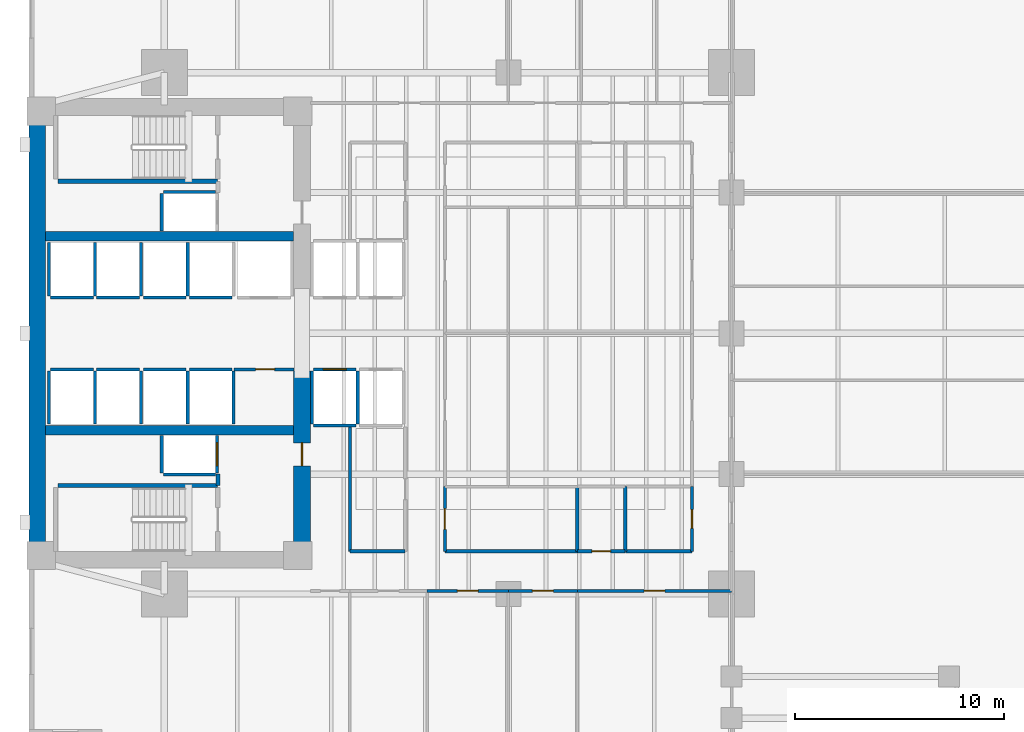
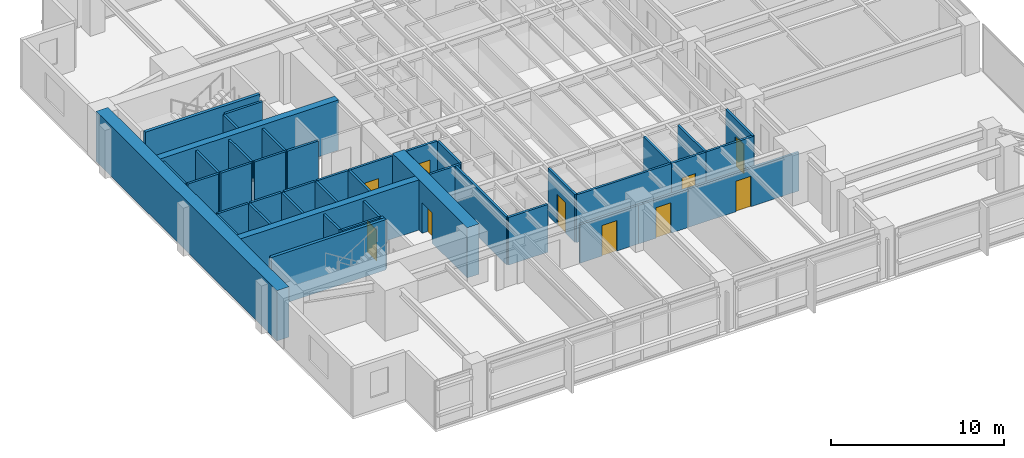
# One storey, part 8 of 16: 46 walls, 10 doors, 10 openings.
"""IFC4 building model written with IfcOpenShell, lengths in metres."""

from ifc_helpers import new_model, si_unit, direction, frame, frame_2d, origin, place, context, subcontext, project, spatial, rectangle, extrude, material, layer, layer_set, type_object, element, fill, save


model = new_model("IFC4")

# Units and contexts
model_context = context("Model", 3, precision=1e-05, world=origin(), true_north=direction((0.0, 1.0)))
body_context = subcontext(model_context, "Body", "Model", "MODEL_VIEW")
ifc_project = project(units=[si_unit("LENGTHUNIT", "METRE"), si_unit("AREAUNIT", "SQUARE_METRE"), si_unit("VOLUMEUNIT", "CUBIC_METRE"), si_unit("PLANEANGLEUNIT", "RADIAN"), si_unit("MASSUNIT", "GRAM", prefix="KILO")], contexts=[model_context])

# Site, building, storey
site_placement = place(None, origin())
site = spatial("IfcSite", under=ifc_project, at=site_placement, CompositionType="ELEMENT")
building_placement = place(site_placement, origin())
building = spatial("IfcBuilding", under=site, at=building_placement, Name="Kinhvarn Gate Tower", CompositionType="ELEMENT")
storey_placement = place(building_placement, frame((0.0, 0.0, 82.39990234375)))
storey = spatial("IfcBuildingStorey", under=building, at=storey_placement, Name="L21", CompositionType="ELEMENT", Elevation=82.39990234375)

# Walls
ifc_material_1 = material(Name="Concrete C50/60", Category="concrete")
ifc_layer_1 = layer(ifc_material_1, 0.449951171875)
ifc_layer_set_1 = layer_set([ifc_layer_1], Name="Concrete C50/60")
wall_type_1 = type_object("IfcWallType", Name="WL-CORE-450", PredefinedType="SHEAR", material=ifc_layer_set_1)
for number, where, z_axis, x_axis, name in (
    (1, (5.300048828125, 20.60009765625, 0.0), (0.0, 0.0, 1.0), (1.0, 0.0, 0.0), "Core South Spine Shear Wall L21 450 mm"),
    (2, (5.300048828125, 29.89990234375, 0.0), (0.0, 0.0, 1.0), (1.0, 0.0, 0.0), "Core North Spine Shear Wall L21 450 mm"),
):
    element("IfcWall", number, at=place(storey_placement, frame(where, z_axis=z_axis, x_axis=x_axis)), inside=storey, type_object=wall_type_1, Name=name, PredefinedType="SHEAR", context=body_context, shape_type="SweptSolid", body=[
        extrude(rectangle(XDim=11.89990234375, YDim=0.449951171875, at=frame_2d((5.949951171875, 0.0))), origin(), (0.0, 0.0, 1.0), 3.550048828125),
    ])

# Wall, opening, door
ifc_material_2 = material(Name="Concrete C70/85", Category="concrete")
ifc_layer_2 = layer(ifc_material_2, 0.800048828125)
ifc_layer_set_2 = layer_set([ifc_layer_2], Name="Concrete C70/85")
wall_type_2 = type_object("IfcWallType", Name="WL-CORE-800", PredefinedType="SHEAR", material=ifc_layer_set_2)
wall_1_placement = place(storey_placement, frame((17.60009765625, 14.800048828125, 0.0), z_axis=(0.0, 0.0, 1.0), x_axis=(0.0, 1.0, 0.0)))
wall_1 = element("IfcWall", 3, at=wall_1_placement, inside=storey, type_object=wall_type_2, Name="Core East-South Shear Pier L21 800 mm", PredefinedType="SHEAR", context=body_context, shape_type="SweptSolid", body=[
    extrude(rectangle(XDim=8.64990234375, YDim=0.800048828125, at=frame_2d((4.324951171875, 0.0))), origin(), (0.0, 0.0, 1.0), 3.550048828125),
])
opening_1_placement = place(wall_1_placement, frame((4.10009765625, 0.0, 0.0)))
opening_1 = element("IfcOpeningElement", 4, at=opening_1_placement, cuts=wall_1, Name="Opening FD-02", PredefinedType="OPENING", context=body_context, shape_type="SweptSolid", body=[
    extrude(rectangle(XDim=1.10009765625, YDim=2.14990234375, at=frame_2d((0.550048828125, 1.074951171875))), frame((0.0, 0.41015625, 0.0), z_axis=(0.0, -1.0, 0.0), x_axis=(1.0, 0.0, 0.0)), (0.0, 0.0, 1.0), 0.820068359375),
])
ifc_material_3 = material(Name="Anodised aluminium AW-6063", Category="aluminium")
door_type_1 = type_object("IfcDoorType", Name="DR-FD-1100", OperationType="NOTDEFINED", PredefinedType="DOOR", material=ifc_material_3)
door_1_placement = place(opening_1_placement, origin())
door_1 = element("IfcDoor", 5, at=door_1_placement, inside=storey, type_object=door_type_1, Name="Firefighting Lobby Core Door (L21)", OperationType="SINGLE_SWING_RIGHT", OverallHeight=2.14990234375, OverallWidth=1.10009765625, PredefinedType="DOOR", context=body_context, shape_type="SweptSolid", body=[
    extrude(rectangle(XDim=1.10009765625, YDim=2.14990234375, at=frame_2d((0.550048828125, 1.074951171875))), frame((0.0, 0.02490234375, 0.0), z_axis=(0.0, -1.0, 0.0), x_axis=(1.0, 0.0, 0.0)), (0.0, 0.0, 1.0), 0.050048828125),
])
fill(opening_1, door_1)

# Walls
ifc_layer_3 = layer(ifc_material_2, 0.800048828125)
ifc_layer_set_3 = layer_set([ifc_layer_3], Name="Concrete C70/85")
wall_type_3 = type_object("IfcWallType", Name="WL-COREX-800", PredefinedType="SHEAR", material=ifc_layer_set_3)
wall_2_placement = place(storey_placement, frame((4.89990234375, 14.800048828125, 0.0), z_axis=(0.0, 0.0, 1.0), x_axis=(0.0, 1.0, 0.0)))
element("IfcWall", 6, at=wall_2_placement, inside=storey, type_object=wall_type_3, Name="Core West Shear Wall L21 800 mm", PredefinedType="SHEAR", context=body_context, shape_type="SweptSolid", body=[
    extrude(rectangle(XDim=20.89990234375, YDim=0.800048828125, at=frame_2d((10.449951171875, 0.0))), origin(), (0.0, 0.0, 1.0), 3.550048828125),
])
ifc_material_4 = material(Name="Gypsum acoustic partition board")
ifc_layer_4 = layer(ifc_material_4, 0.14990234375)
ifc_layer_set_4 = layer_set([ifc_layer_4], Name="Gypsum acoustic partition board")
wall_type_4 = type_object("IfcWallType", Name="WL-PLM-150", PredefinedType="PLUMBINGWALL", material=ifc_layer_set_4)
for number, where, z_axis, x_axis, name in (
    (7, (33.10009765625, 14.800048828125, 0.0), (0.0, 0.0, 1.0), (0.0, 1.0, 0.0), "Interior Partition PLW-150 (L21)"),
    (8, (30.800048828125, 14.800048828125, 0.0), (0.0, 0.0, 1.0), (0.0, 1.0, 0.0), "Interior Partition PLW-150 (L21)"),
):
    element("IfcWall", number, at=place(storey_placement, frame(where, z_axis=z_axis, x_axis=x_axis)), inside=storey, type_object=wall_type_4, Name=name, PredefinedType="PLUMBINGWALL", context=body_context, shape_type="SweptSolid", body=[
        extrude(rectangle(XDim=3.099853515625, YDim=0.14990234375, at=frame_2d((1.5498046875, 0.0))), origin(), (0.0, 0.0, 1.0), 3.3701171875),
    ])
ifc_layer_5 = layer(ifc_material_4, 0.14990234375)
ifc_layer_set_5 = layer_set([ifc_layer_5], Name="Gypsum acoustic partition board")
wall_type_5 = type_object("IfcWallType", Name="WL-PLM-150F", PredefinedType="PLUMBINGWALL", material=ifc_layer_set_5)
wall_3_placement = place(storey_placement, frame((33.10009765625, 14.800048828125, 0.0), z_axis=(0.0, 0.0, 1.0), x_axis=(1.0, 0.0, 0.0)))
element("IfcWall", 9, at=wall_3_placement, inside=storey, type_object=wall_type_5, Name="Interior Partition PLW-150F (L21)", PredefinedType="PLUMBINGWALL", context=body_context, shape_type="SweptSolid", body=[
    extrude(rectangle(XDim=3.199951171875, YDim=0.14990234375, at=frame_2d((1.60009765625, 0.0))), origin(), (0.0, 0.0, 1.0), 3.3701171875),
])

# Wall, opening, door
wall_4_placement = place(storey_placement, frame((30.800048828125, 14.800048828125, 0.0), z_axis=(0.0, 0.0, 1.0), x_axis=(1.0, 0.0, 0.0)))
wall_4 = element("IfcWall", 10, at=wall_4_placement, inside=storey, type_object=wall_type_5, Name="Interior Partition PLW-150F (L21)", PredefinedType="PLUMBINGWALL", context=body_context, shape_type="SweptSolid", body=[
    extrude(rectangle(XDim=2.300048828125, YDim=0.14990234375, at=frame_2d((1.14990234375, 0.0))), origin(), (0.0, 0.0, 1.0), 3.3701171875),
])
opening_2_placement = place(wall_4_placement, frame((0.699951171875, 0.0, 0.0)))
opening_2 = element("IfcOpeningElement", 11, at=opening_2_placement, cuts=wall_4, Name="Opening FD-04", PredefinedType="OPENING", context=body_context, shape_type="SweptSolid", body=[
    extrude(rectangle(XDim=0.89990234375, YDim=2.10009765625, at=frame_2d((0.449951171875, 1.050048828125))), frame((0.0, 0.0849609375, 0.0), z_axis=(0.0, -1.0, 0.0), x_axis=(1.0, 0.0, 0.0)), (0.0, 0.0, 1.0), 0.169921875),
])
door_type_2 = type_object("IfcDoorType", Name="DR-FD-900", OperationType="NOTDEFINED", PredefinedType="DOOR", material=ifc_material_3)
door_2_placement = place(opening_2_placement, origin())
door_2 = element("IfcDoor", 12, at=door_2_placement, inside=storey, type_object=door_type_2, Name="Rated Riser & Service Closet Fire Door 900x2100 mm (L21)", OperationType="SINGLE_SWING_RIGHT", OverallHeight=2.10009765625, OverallWidth=0.89990234375, PredefinedType="DOOR", context=body_context, shape_type="SweptSolid", body=[
    extrude(rectangle(XDim=0.89990234375, YDim=2.10009765625, at=frame_2d((0.449951171875, 1.050048828125))), frame((0.0, 0.02490234375, 0.0), z_axis=(0.0, -1.0, 0.0), x_axis=(1.0, 0.0, 0.0)), (0.0, 0.0, 1.0), 0.050048828125),
])
fill(opening_2, door_2)

wall_5_placement = place(storey_placement, frame((36.300048828125, 14.800048828125, 0.0), z_axis=(0.0, 0.0, 1.0), x_axis=(0.0, 1.0, 0.0)))
wall_5 = element("IfcWall", 13, at=wall_5_placement, inside=storey, type_object=wall_type_5, Name="Interior Partition PLW-150F (L21)", PredefinedType="PLUMBINGWALL", context=body_context, shape_type="SweptSolid", body=[
    extrude(rectangle(XDim=3.099853515625, YDim=0.14990234375, at=frame_2d((1.5498046875, 0.0))), origin(), (0.0, 0.0, 1.0), 3.3701171875),
])
opening_3_placement = place(wall_5_placement, frame((1.10009765625, 0.0, 0.0)))
opening_3 = element("IfcOpeningElement", 14, at=opening_3_placement, cuts=wall_5, Name="Opening FD-04", PredefinedType="OPENING", context=body_context, shape_type="SweptSolid", body=[
    extrude(rectangle(XDim=0.89990234375, YDim=2.10009765625, at=frame_2d((0.449951171875, 1.050048828125))), frame((0.0, 0.0849609375, 0.0), z_axis=(0.0, -1.0, 0.0), x_axis=(1.0, 0.0, 0.0)), (0.0, 0.0, 1.0), 0.169921875),
])
door_3_placement = place(opening_3_placement, origin())
door_3 = element("IfcDoor", 15, at=door_3_placement, inside=storey, type_object=door_type_2, Name="Rated Riser & Service Closet Fire Door 900x2100 mm (L21)", OperationType="SINGLE_SWING_LEFT", OverallHeight=2.10009765625, OverallWidth=0.89990234375, PredefinedType="DOOR", context=body_context, shape_type="SweptSolid", body=[
    extrude(rectangle(XDim=0.89990234375, YDim=2.10009765625, at=frame_2d((0.449951171875, 1.050048828125))), frame((0.0, 0.02490234375, 0.0), z_axis=(0.0, -1.0, 0.0), x_axis=(1.0, 0.0, 0.0)), (0.0, 0.0, 1.0), 0.050048828125),
])
fill(opening_3, door_3)

ifc_layer_6 = layer(ifc_material_4, 0.14990234375)
ifc_layer_set_6 = layer_set([ifc_layer_6], Name="Gypsum acoustic partition board")
wall_type_6 = type_object("IfcWallType", Name="WL-PRT-150F", PredefinedType="PARTITIONING", material=ifc_layer_set_6)
wall_6_placement = place(storey_placement, frame((14.330078125, 23.52001953125, 0.0), z_axis=(0.0, 0.0, 1.0), x_axis=(1.0, 0.0, 0.0)))
wall_6 = element("IfcWall", 16, at=wall_6_placement, inside=storey, type_object=wall_type_6, Name="Interior Partition PW-150F (L21)", PredefinedType="PARTITIONING", context=body_context, shape_type="SweptSolid", body=[
    extrude(rectangle(XDim=2.889892578125, YDim=0.14990234375, at=frame_2d((1.44482421875, 0.0))), origin(), (0.0, 0.0, 1.0), 3.3701171875),
])
opening_4_placement = place(wall_6_placement, frame((1.052734375, 0.0, 0.0)))
opening_4 = element("IfcOpeningElement", 17, at=opening_4_placement, cuts=wall_6, Name="Opening FD-04", PredefinedType="OPENING", context=body_context, shape_type="SweptSolid", body=[
    extrude(rectangle(XDim=0.89990234375, YDim=2.10009765625, at=frame_2d((0.449951171875, 1.050048828125))), frame((0.0, 0.0849609375, 0.0), z_axis=(0.0, -1.0, 0.0), x_axis=(1.0, 0.0, 0.0)), (0.0, 0.0, 1.0), 0.169921875),
])
door_4_placement = place(opening_4_placement, origin())
door_4 = element("IfcDoor", 18, at=door_4_placement, inside=storey, type_object=door_type_2, Name="Rated Riser & Service Closet Fire Door 900x2100 mm (L21)", OperationType="SINGLE_SWING_LEFT", OverallHeight=2.10009765625, OverallWidth=0.89990234375, PredefinedType="DOOR", context=body_context, shape_type="SweptSolid", body=[
    extrude(rectangle(XDim=0.89990234375, YDim=2.10009765625, at=frame_2d((0.449951171875, 1.050048828125))), frame((0.0, 0.02490234375, 0.0), z_axis=(0.0, -1.0, 0.0), x_axis=(1.0, 0.0, 0.0)), (0.0, 0.0, 1.0), 0.050048828125),
])
fill(opening_4, door_4)

wall_7_placement = place(storey_placement, frame((24.449951171875, 14.800048828125, 0.0), z_axis=(0.0, 0.0, 1.0), x_axis=(0.0, 1.0, 0.0)))
wall_7 = element("IfcWall", 19, at=wall_7_placement, inside=storey, type_object=wall_type_6, Name="Interior Partition PW-150F (L21)", PredefinedType="PARTITIONING", context=body_context, shape_type="SweptSolid", body=[
    extrude(rectangle(XDim=3.099853515625, YDim=0.14990234375, at=frame_2d((1.5498046875, 0.0))), origin(), (0.0, 0.0, 1.0), 3.3701171875),
])
opening_5_placement = place(wall_7_placement, frame((1.050048828125, 0.0, 0.0)))
opening_5 = element("IfcOpeningElement", 20, at=opening_5_placement, cuts=wall_7, Name="Opening ID-02", PredefinedType="OPENING", context=body_context, shape_type="SweptSolid", body=[
    extrude(rectangle(XDim=1.0, YDim=2.14990234375, at=frame_2d((0.5, 1.074951171875))), frame((0.0, 0.0849609375, 0.0), z_axis=(0.0, -1.0, 0.0), x_axis=(1.0, 0.0, 0.0)), (0.0, 0.0, 1.0), 0.169921875),
])
door_type_3 = type_object("IfcDoorType", Name="DR-INT-1000", OperationType="NOTDEFINED", PredefinedType="DOOR", material=ifc_material_3)
door_5_placement = place(opening_5_placement, origin())
door_5 = element("IfcDoor", 21, at=door_5_placement, inside=storey, type_object=door_type_3, Name="Standard Office & Meeting Room Door 1000x2150 mm (L21)", OperationType="SINGLE_SWING_RIGHT", OverallHeight=2.14990234375, OverallWidth=1.0, PredefinedType="DOOR", context=body_context, shape_type="SweptSolid", body=[
    extrude(rectangle(XDim=1.0, YDim=2.14990234375, at=frame_2d((0.5, 1.074951171875))), frame((0.0, 0.02490234375, 0.0), z_axis=(0.0, -1.0, 0.0), x_axis=(1.0, 0.0, 0.0)), (0.0, 0.0, 1.0), 0.050048828125),
])
fill(opening_5, door_5)

# Walls
wall_8_placement = place(storey_placement, frame((19.89990234375, 14.800048828125, 0.0), z_axis=(0.0, 0.0, 1.0), x_axis=(0.0, 1.0, 0.0)))
element("IfcWall", 22, at=wall_8_placement, inside=storey, type_object=wall_type_6, Name="Interior Partition PW-150F (L21)", PredefinedType="PARTITIONING", context=body_context, shape_type="SweptSolid", body=[
    extrude(rectangle(XDim=5.949951171875, YDim=0.14990234375, at=frame_2d((2.97509765625, 0.0))), origin(), (0.0, 0.0, 1.0), 3.3701171875),
])
wall_9_placement = place(storey_placement, frame((19.89990234375, 14.800048828125, 0.0), z_axis=(0.0, 0.0, 1.0), x_axis=(1.0, 0.0, 0.0)))
element("IfcWall", 23, at=wall_9_placement, inside=storey, type_object=wall_type_6, Name="Interior Partition PW-150F (L21)", PredefinedType="PARTITIONING", context=body_context, shape_type="SweptSolid", body=[
    extrude(rectangle(XDim=2.650146484375, YDim=0.14990234375, at=frame_2d((1.3251953125, 0.0))), origin(), (0.0, 0.0, 1.0), 3.3701171875),
])
wall_10_placement = place(storey_placement, frame((24.449951171875, 14.800048828125, 0.0), z_axis=(0.0, 0.0, 1.0), x_axis=(1.0, 0.0, 0.0)))
element("IfcWall", 24, at=wall_10_placement, inside=storey, type_object=wall_type_6, Name="Interior Partition PW-150F (L21)", PredefinedType="PARTITIONING", context=body_context, shape_type="SweptSolid", body=[
    extrude(rectangle(XDim=6.35009765625, YDim=0.14990234375, at=frame_2d((3.175048828125, 0.0))), origin(), (0.0, 0.0, 1.0), 3.3701171875),
])

# Wall, opening, door
wall_11_placement = place(storey_placement, frame((23.60009765625, 12.89990234375, 0.0), z_axis=(0.0, 0.0, 1.0), x_axis=(1.0, 0.0, 0.0)))
wall_11 = element("IfcWall", 25, at=wall_11_placement, inside=storey, type_object=wall_type_6, Name="Interior Partition PW-150F (L21)", PredefinedType="PARTITIONING", context=body_context, shape_type="SweptSolid", body=[
    extrude(rectangle(XDim=3.89990234375, YDim=0.14990234375, at=frame_2d((1.949951171875, 0.0))), origin(), (0.0, 0.0, 1.0), 2.72021484375),
])
opening_6_placement = place(wall_11_placement, frame((1.449951171875, 0.0, 0.0)))
opening_6 = element("IfcOpeningElement", 26, at=opening_6_placement, cuts=wall_11, Name="Opening ID-02", PredefinedType="OPENING", context=body_context, shape_type="SweptSolid", body=[
    extrude(rectangle(XDim=1.0, YDim=2.14990234375, at=frame_2d((0.5, 1.074951171875))), frame((0.0, 0.0849609375, 0.0), z_axis=(0.0, -1.0, 0.0), x_axis=(1.0, 0.0, 0.0)), (0.0, 0.0, 1.0), 0.169921875),
])
door_6_placement = place(opening_6_placement, origin())
door_6 = element("IfcDoor", 27, at=door_6_placement, inside=storey, type_object=door_type_3, Name="Standard Office & Meeting Room Door 1000x2150 mm (L21)", OperationType="SINGLE_SWING_LEFT", OverallHeight=2.14990234375, OverallWidth=1.0, PredefinedType="DOOR", context=body_context, shape_type="SweptSolid", body=[
    extrude(rectangle(XDim=1.0, YDim=2.14990234375, at=frame_2d((0.5, 1.074951171875))), frame((0.0, 0.02490234375, 0.0), z_axis=(0.0, -1.0, 0.0), x_axis=(1.0, 0.0, 0.0)), (0.0, 0.0, 1.0), 0.050048828125),
])
fill(opening_6, door_6)

wall_12_placement = place(storey_placement, frame((27.5, 12.89990234375, 0.0), z_axis=(0.0, 0.0, 1.0), x_axis=(1.0, 0.0, 0.0)))
wall_12 = element("IfcWall", 28, at=wall_12_placement, inside=storey, type_object=wall_type_6, Name="Interior Partition PW-150F (L21)", PredefinedType="PARTITIONING", context=body_context, shape_type="SweptSolid", body=[
    extrude(rectangle(XDim=3.300048828125, YDim=0.14990234375, at=frame_2d((1.64990234375, 0.0))), origin(), (0.0, 0.0, 1.0), 2.72021484375),
])
opening_7_placement = place(wall_12_placement, frame((1.14990234375, 0.0, 0.0)))
opening_7 = element("IfcOpeningElement", 29, at=opening_7_placement, cuts=wall_12, Name="Opening ID-02", PredefinedType="OPENING", context=body_context, shape_type="SweptSolid", body=[
    extrude(rectangle(XDim=1.0, YDim=2.14990234375, at=frame_2d((0.5, 1.074951171875))), frame((0.0, 0.0849609375, 0.0), z_axis=(0.0, -1.0, 0.0), x_axis=(1.0, 0.0, 0.0)), (0.0, 0.0, 1.0), 0.169921875),
])
door_7_placement = place(opening_7_placement, origin())
door_7 = element("IfcDoor", 30, at=door_7_placement, inside=storey, type_object=door_type_3, Name="Standard Office & Meeting Room Door 1000x2150 mm (L21)", OperationType="SINGLE_SWING_RIGHT", OverallHeight=2.14990234375, OverallWidth=1.0, PredefinedType="DOOR", context=body_context, shape_type="SweptSolid", body=[
    extrude(rectangle(XDim=1.0, YDim=2.14990234375, at=frame_2d((0.5, 1.074951171875))), frame((0.0, 0.02490234375, 0.0), z_axis=(0.0, -1.0, 0.0), x_axis=(1.0, 0.0, 0.0)), (0.0, 0.0, 1.0), 0.050048828125),
])
fill(opening_7, door_7)

wall_13_placement = place(storey_placement, frame((30.800048828125, 12.89990234375, 0.0), z_axis=(0.0, 0.0, 1.0), x_axis=(1.0, 0.0, 0.0)))
wall_13 = element("IfcWall", 31, at=wall_13_placement, inside=storey, type_object=wall_type_6, Name="Interior Partition PW-150F (L21)", PredefinedType="PARTITIONING", context=body_context, shape_type="SweptSolid", body=[
    extrude(rectangle(XDim=7.39990234375, YDim=0.14990234375, at=frame_2d((3.699951171875, 0.0))), origin(), (0.0, 0.0, 1.0), 2.72021484375),
])
opening_8_placement = place(wall_13_placement, frame((3.199951171875, 0.0, 0.0)))
opening_8 = element("IfcOpeningElement", 32, at=opening_8_placement, cuts=wall_13, Name="Opening ID-02", PredefinedType="OPENING", context=body_context, shape_type="SweptSolid", body=[
    extrude(rectangle(XDim=1.0, YDim=2.14990234375, at=frame_2d((0.5, 1.074951171875))), frame((0.0, 0.0849609375, 0.0), z_axis=(0.0, -1.0, 0.0), x_axis=(1.0, 0.0, 0.0)), (0.0, 0.0, 1.0), 0.169921875),
])
door_8_placement = place(opening_8_placement, origin())
door_8 = element("IfcDoor", 33, at=door_8_placement, inside=storey, type_object=door_type_3, Name="Standard Office & Meeting Room Door 1000x2150 mm (L21)", OperationType="SINGLE_SWING_LEFT", OverallHeight=2.14990234375, OverallWidth=1.0, PredefinedType="DOOR", context=body_context, shape_type="SweptSolid", body=[
    extrude(rectangle(XDim=1.0, YDim=2.14990234375, at=frame_2d((0.5, 1.074951171875))), frame((0.0, 0.02490234375, 0.0), z_axis=(0.0, -1.0, 0.0), x_axis=(1.0, 0.0, 0.0)), (0.0, 0.0, 1.0), 0.050048828125),
])
fill(opening_8, door_8)

# Walls
ifc_layer_7 = layer(ifc_material_4, 0.199951171875)
ifc_layer_set_7 = layer_set([ifc_layer_7], Name="Gypsum acoustic partition board")
wall_type_7 = type_object("IfcWallType", Name="WL-PRT-200", PredefinedType="PARTITIONING", material=ifc_layer_set_7)
wall_14_placement = place(storey_placement, frame((13.580078125, 17.9599609375, 0.0), z_axis=(0.0, 0.0, 1.0), x_axis=(0.0, 1.0, 0.0)))
element("IfcWall", 34, at=wall_14_placement, inside=storey, type_object=wall_type_7, Name="Interior Partition PW-200 (L21)", PredefinedType="PARTITIONING", context=body_context, shape_type="SweptSolid", body=[
    extrude(rectangle(XDim=0.5400390625, YDim=0.199951171875, at=frame_2d((0.27001953125, 0.0))), origin(), (0.0, 0.0, 1.0), 3.3701171875),
])
ifc_layer_8 = layer(ifc_material_4, 0.14990234375)
ifc_layer_set_8 = layer_set([ifc_layer_8], Name="Gypsum acoustic partition board")
wall_type_8 = type_object("IfcWallType", Name="WL-SHF-150", PredefinedType="PARTITIONING", material=ifc_layer_set_8)
wall_15_placement = place(storey_placement, frame((18.14990234375, 20.824951171875, 0.0), z_axis=(0.0, 0.0, 1.0), x_axis=(1.0, 0.0, 0.0)))
element("IfcWall", 35, at=wall_15_placement, inside=storey, type_object=wall_type_8, Name="Elevator PL-01 Hoistway Wall S (L21)", PredefinedType="PARTITIONING", context=body_context, shape_type="SweptSolid", body=[
    extrude(rectangle(XDim=2.050048828125, YDim=0.14990234375, at=frame_2d((1.02490234375, 0.0))), origin(), (0.0, 0.0, 1.0), 3.3701171875),
])

# Wall, opening, door
wall_16_placement = place(storey_placement, frame((18.14990234375, 23.52490234375, 0.0), z_axis=(0.0, 0.0, 1.0), x_axis=(1.0, 0.0, 0.0)))
wall_16 = element("IfcWall", 36, at=wall_16_placement, inside=storey, type_object=wall_type_8, Name="Elevator PL-01 Landing Wall (L21)", PredefinedType="PARTITIONING", context=body_context, shape_type="SweptSolid", body=[
    extrude(rectangle(XDim=2.050048828125, YDim=0.14990234375, at=frame_2d((1.02490234375, 0.0))), origin(), (0.0, 0.0, 1.0), 3.3701171875),
])
opening_9_placement = place(wall_16_placement, frame((0.47509765625, 0.0, 0.0)))
opening_9 = element("IfcOpeningElement", 37, at=opening_9_placement, cuts=wall_16, Name="Opening LD-01", PredefinedType="OPENING", context=body_context, shape_type="SweptSolid", body=[
    extrude(rectangle(XDim=1.10009765625, YDim=2.199951171875, at=frame_2d((0.550048828125, 1.10009765625))), frame((0.0, 0.0849609375, 0.0), z_axis=(0.0, -1.0, 0.0), x_axis=(1.0, 0.0, 0.0)), (0.0, 0.0, 1.0), 0.169921875),
])
door_type_4 = type_object("IfcDoorType", Name="DR-LND-PAS", OperationType="NOTDEFINED", PredefinedType="DOOR", material=ifc_material_3)
door_9_placement = place(opening_9_placement, origin())
door_9 = element("IfcDoor", 38, at=door_9_placement, inside=storey, type_object=door_type_4, Name="Elevator PL-01 Sliding Landing Door (L21)", OperationType="DOUBLE_DOOR_SLIDING", OverallHeight=2.199951171875, OverallWidth=1.10009765625, PredefinedType="DOOR", context=body_context, shape_type="SweptSolid", body=[
    extrude(rectangle(XDim=1.10009765625, YDim=2.199951171875, at=frame_2d((0.550048828125, 1.10009765625))), frame((0.0, 0.02490234375, 0.0), z_axis=(0.0, -1.0, 0.0), x_axis=(1.0, 0.0, 0.0)), (0.0, 0.0, 1.0), 0.050048828125),
])
fill(opening_9, door_9)

# Walls
for number, where, z_axis, x_axis, name in (
    (39, (18.074951171875, 20.89990234375, 0.0), (0.0, 0.0, 1.0), (0.0, 1.0, 0.0), "Elevator PL-01 Hoistway Wall W (L21)"),
    (40, (20.27490234375, 20.89990234375, 0.0), (0.0, 0.0, 1.0), (0.0, 1.0, 0.0), "Elevator PL-01 Hoistway Wall E (L21)"),
):
    element("IfcWall", number, at=place(storey_placement, frame(where, z_axis=z_axis, x_axis=x_axis)), inside=storey, type_object=wall_type_8, Name=name, PredefinedType="PARTITIONING", context=body_context, shape_type="SweptSolid", body=[
        extrude(rectangle(XDim=2.550048828125, YDim=0.14990234375, at=frame_2d((1.27490234375, 0.0))), origin(), (0.0, 0.0, 1.0), 3.3701171875),
    ])
wall_17_placement = place(storey_placement, frame((5.550048828125, 23.52490234375, 0.0), z_axis=(0.0, 0.0, 1.0), x_axis=(1.0, 0.0, 0.0)))
element("IfcWall", 41, at=wall_17_placement, inside=storey, type_object=wall_type_8, Name="Elevator PM-05 Landing Wall (L21)", PredefinedType="PARTITIONING", context=body_context, shape_type="SweptSolid", body=[
    extrude(rectangle(XDim=2.050048828125, YDim=0.14990234375, at=frame_2d((1.02490234375, 0.0))), origin(), (0.0, 0.0, 1.0), 3.3701171875),
])
for number, where, z_axis, x_axis, name in (
    (42, (5.47509765625, 20.89990234375, 0.0), (0.0, 0.0, 1.0), (0.0, 1.0, 0.0), "Elevator PM-05 Hoistway Wall W (L21)"),
    (43, (7.675048828125, 20.89990234375, 0.0), (0.0, 0.0, 1.0), (0.0, 1.0, 0.0), "Elevator PM-05 Hoistway Wall E (L21)"),
):
    element("IfcWall", number, at=place(storey_placement, frame(where, z_axis=z_axis, x_axis=x_axis)), inside=storey, type_object=wall_type_8, Name=name, PredefinedType="PARTITIONING", context=body_context, shape_type="SweptSolid", body=[
        extrude(rectangle(XDim=2.550048828125, YDim=0.14990234375, at=frame_2d((1.27490234375, 0.0))), origin(), (0.0, 0.0, 1.0), 3.3701171875),
    ])
wall_18_placement = place(storey_placement, frame((7.75, 23.52490234375, 0.0), z_axis=(0.0, 0.0, 1.0), x_axis=(1.0, 0.0, 0.0)))
element("IfcWall", 44, at=wall_18_placement, inside=storey, type_object=wall_type_8, Name="Elevator PM-06 Landing Wall (L21)", PredefinedType="PARTITIONING", context=body_context, shape_type="SweptSolid", body=[
    extrude(rectangle(XDim=2.050048828125, YDim=0.14990234375, at=frame_2d((1.02490234375, 0.0))), origin(), (0.0, 0.0, 1.0), 3.3701171875),
])
wall_19_placement = place(storey_placement, frame((9.875, 20.89990234375, 0.0), z_axis=(0.0, 0.0, 1.0), x_axis=(0.0, 1.0, 0.0)))
element("IfcWall", 45, at=wall_19_placement, inside=storey, type_object=wall_type_8, Name="Elevator PM-06 Hoistway Wall E (L21)", PredefinedType="PARTITIONING", context=body_context, shape_type="SweptSolid", body=[
    extrude(rectangle(XDim=2.550048828125, YDim=0.14990234375, at=frame_2d((1.27490234375, 0.0))), origin(), (0.0, 0.0, 1.0), 3.3701171875),
])
wall_20_placement = place(storey_placement, frame((5.550048828125, 26.97509765625, 0.0), z_axis=(0.0, 0.0, 1.0), x_axis=(1.0, 0.0, 0.0)))
element("IfcWall", 46, at=wall_20_placement, inside=storey, type_object=wall_type_8, Name="Elevator PM-07 Landing Wall (L21)", PredefinedType="PARTITIONING", context=body_context, shape_type="SweptSolid", body=[
    extrude(rectangle(XDim=2.050048828125, YDim=0.14990234375, at=frame_2d((1.02490234375, 0.0))), origin(), (0.0, 0.0, 1.0), 3.3701171875),
])
for number, where, z_axis, x_axis, name in (
    (47, (5.47509765625, 27.050048828125, 0.0), (0.0, 0.0, 1.0), (0.0, 1.0, 0.0), "Elevator PM-07 Hoistway Wall W (L21)"),
    (48, (7.675048828125, 27.050048828125, 0.0), (0.0, 0.0, 1.0), (0.0, 1.0, 0.0), "Elevator PM-07 Hoistway Wall E (L21)"),
):
    element("IfcWall", number, at=place(storey_placement, frame(where, z_axis=z_axis, x_axis=x_axis)), inside=storey, type_object=wall_type_8, Name=name, PredefinedType="PARTITIONING", context=body_context, shape_type="SweptSolid", body=[
        extrude(rectangle(XDim=2.550048828125, YDim=0.14990234375, at=frame_2d((1.27490234375, 0.0))), origin(), (0.0, 0.0, 1.0), 3.3701171875),
    ])
wall_21_placement = place(storey_placement, frame((7.75, 26.97509765625, 0.0), z_axis=(0.0, 0.0, 1.0), x_axis=(1.0, 0.0, 0.0)))
element("IfcWall", 49, at=wall_21_placement, inside=storey, type_object=wall_type_8, Name="Elevator PM-08 Landing Wall (L21)", PredefinedType="PARTITIONING", context=body_context, shape_type="SweptSolid", body=[
    extrude(rectangle(XDim=2.050048828125, YDim=0.14990234375, at=frame_2d((1.02490234375, 0.0))), origin(), (0.0, 0.0, 1.0), 3.3701171875),
])
wall_22_placement = place(storey_placement, frame((9.875, 27.050048828125, 0.0), z_axis=(0.0, 0.0, 1.0), x_axis=(0.0, 1.0, 0.0)))
element("IfcWall", 50, at=wall_22_placement, inside=storey, type_object=wall_type_8, Name="Elevator PM-08 Hoistway Wall E (L21)", PredefinedType="PARTITIONING", context=body_context, shape_type="SweptSolid", body=[
    extrude(rectangle(XDim=2.550048828125, YDim=0.14990234375, at=frame_2d((1.27490234375, 0.0))), origin(), (0.0, 0.0, 1.0), 3.3701171875),
])
wall_23_placement = place(storey_placement, frame((10.0, 23.52490234375, 0.0), z_axis=(0.0, 0.0, 1.0), x_axis=(1.0, 0.0, 0.0)))
element("IfcWall", 51, at=wall_23_placement, inside=storey, type_object=wall_type_8, Name="Elevator PH-09 Landing Wall (L21)", PredefinedType="PARTITIONING", context=body_context, shape_type="SweptSolid", body=[
    extrude(rectangle(XDim=2.050048828125, YDim=0.14990234375, at=frame_2d((1.02490234375, 0.0))), origin(), (0.0, 0.0, 1.0), 3.3701171875),
])
wall_24_placement = place(storey_placement, frame((12.125, 20.89990234375, 0.0), z_axis=(0.0, 0.0, 1.0), x_axis=(0.0, 1.0, 0.0)))
element("IfcWall", 52, at=wall_24_placement, inside=storey, type_object=wall_type_8, Name="Elevator PH-09 Hoistway Wall E (L21)", PredefinedType="PARTITIONING", context=body_context, shape_type="SweptSolid", body=[
    extrude(rectangle(XDim=2.550048828125, YDim=0.14990234375, at=frame_2d((1.27490234375, 0.0))), origin(), (0.0, 0.0, 1.0), 3.3701171875),
])
wall_25_placement = place(storey_placement, frame((12.199951171875, 23.52490234375, 0.0), z_axis=(0.0, 0.0, 1.0), x_axis=(1.0, 0.0, 0.0)))
element("IfcWall", 53, at=wall_25_placement, inside=storey, type_object=wall_type_8, Name="Elevator PH-10 Landing Wall (L21)", PredefinedType="PARTITIONING", context=body_context, shape_type="SweptSolid", body=[
    extrude(rectangle(XDim=2.050048828125, YDim=0.14990234375, at=frame_2d((1.02490234375, 0.0))), origin(), (0.0, 0.0, 1.0), 3.3701171875),
])
wall_26_placement = place(storey_placement, frame((14.324951171875, 20.89990234375, 0.0), z_axis=(0.0, 0.0, 1.0), x_axis=(0.0, 1.0, 0.0)))
element("IfcWall", 54, at=wall_26_placement, inside=storey, type_object=wall_type_8, Name="Elevator PH-10 Hoistway Wall E (L21)", PredefinedType="PARTITIONING", context=body_context, shape_type="SweptSolid", body=[
    extrude(rectangle(XDim=2.550048828125, YDim=0.14990234375, at=frame_2d((1.27490234375, 0.0))), origin(), (0.0, 0.0, 1.0), 3.3701171875),
])
wall_27_placement = place(storey_placement, frame((10.0, 26.97509765625, 0.0), z_axis=(0.0, 0.0, 1.0), x_axis=(1.0, 0.0, 0.0)))
element("IfcWall", 55, at=wall_27_placement, inside=storey, type_object=wall_type_8, Name="Elevator PH-11 Landing Wall (L21)", PredefinedType="PARTITIONING", context=body_context, shape_type="SweptSolid", body=[
    extrude(rectangle(XDim=2.050048828125, YDim=0.14990234375, at=frame_2d((1.02490234375, 0.0))), origin(), (0.0, 0.0, 1.0), 3.3701171875),
])
wall_28_placement = place(storey_placement, frame((12.125, 27.050048828125, 0.0), z_axis=(0.0, 0.0, 1.0), x_axis=(0.0, 1.0, 0.0)))
element("IfcWall", 56, at=wall_28_placement, inside=storey, type_object=wall_type_8, Name="Elevator PH-11 Hoistway Wall E (L21)", PredefinedType="PARTITIONING", context=body_context, shape_type="SweptSolid", body=[
    extrude(rectangle(XDim=2.550048828125, YDim=0.14990234375, at=frame_2d((1.27490234375, 0.0))), origin(), (0.0, 0.0, 1.0), 3.3701171875),
])
wall_29_placement = place(storey_placement, frame((12.199951171875, 26.97509765625, 0.0), z_axis=(0.0, 0.0, 1.0), x_axis=(1.0, 0.0, 0.0)))
element("IfcWall", 57, at=wall_29_placement, inside=storey, type_object=wall_type_8, Name="Elevator PH-12 Landing Wall (L21)", PredefinedType="PARTITIONING", context=body_context, shape_type="SweptSolid", body=[
    extrude(rectangle(XDim=2.050048828125, YDim=0.14990234375, at=frame_2d((1.02490234375, 0.0))), origin(), (0.0, 0.0, 1.0), 3.3701171875),
])
wall_30_placement = place(storey_placement, frame((10.949951171875, 18.47509765625, 0.0), z_axis=(0.0, 0.0, 1.0), x_axis=(1.0, 0.0, 0.0)))
element("IfcWall", 58, at=wall_30_placement, inside=storey, type_object=wall_type_8, Name="Elevator FF1 Hoistway Wall S (L21)", PredefinedType="PARTITIONING", context=body_context, shape_type="SweptSolid", body=[
    extrude(rectangle(XDim=2.5, YDim=0.14990234375, at=frame_2d((1.25, 0.0))), origin(), (0.0, 0.0, 1.0), 3.3701171875),
])
wall_31_placement = place(storey_placement, frame((10.875, 18.550048828125, 0.0), z_axis=(0.0, 0.0, 1.0), x_axis=(0.0, 1.0, 0.0)))
element("IfcWall", 59, at=wall_31_placement, inside=storey, type_object=wall_type_8, Name="Elevator FF1 Hoistway Wall W (L21)", PredefinedType="PARTITIONING", context=body_context, shape_type="SweptSolid", body=[
    extrude(rectangle(XDim=1.800048828125, YDim=0.14990234375, at=frame_2d((0.89990234375, 0.0))), origin(), (0.0, 0.0, 1.0), 3.3701171875),
])

# Wall, opening, door
wall_32_placement = place(storey_placement, frame((13.52490234375, 18.550048828125, 0.0), z_axis=(0.0, 0.0, 1.0), x_axis=(0.0, 1.0, 0.0)))
wall_32 = element("IfcWall", 60, at=wall_32_placement, inside=storey, type_object=wall_type_8, Name="Elevator FF1 Landing Wall (L21)", PredefinedType="PARTITIONING", context=body_context, shape_type="SweptSolid", body=[
    extrude(rectangle(XDim=1.800048828125, YDim=0.14990234375, at=frame_2d((0.89990234375, 0.0))), origin(), (0.0, 0.0, 1.0), 3.3701171875),
])
opening_10_placement = place(wall_32_placement, frame((0.35009765625, 0.0, 0.0)))
opening_10 = element("IfcOpeningElement", 61, at=opening_10_placement, cuts=wall_32, Name="Opening LD-03", PredefinedType="OPENING", context=body_context, shape_type="SweptSolid", body=[
    extrude(rectangle(XDim=1.10009765625, YDim=2.199951171875, at=frame_2d((0.550048828125, 1.10009765625))), frame((0.0, 0.0849609375, 0.0), z_axis=(0.0, -1.0, 0.0), x_axis=(1.0, 0.0, 0.0)), (0.0, 0.0, 1.0), 0.169921875),
])
door_type_5 = type_object("IfcDoorType", Name="DR-LND-FF", OperationType="NOTDEFINED", PredefinedType="DOOR", material=ifc_material_3)
door_10_placement = place(opening_10_placement, origin())
door_10 = element("IfcDoor", 62, at=door_10_placement, inside=storey, type_object=door_type_5, Name="Elevator FF1 Sliding Landing Door (L21)", OperationType="DOUBLE_DOOR_SLIDING", OverallHeight=2.199951171875, OverallWidth=1.10009765625, PredefinedType="DOOR", context=body_context, shape_type="SweptSolid", body=[
    extrude(rectangle(XDim=1.10009765625, YDim=2.199951171875, at=frame_2d((0.550048828125, 1.10009765625))), frame((0.0, 0.02490234375, 0.0), z_axis=(0.0, -1.0, 0.0), x_axis=(1.0, 0.0, 0.0)), (0.0, 0.0, 1.0), 0.050048828125),
])
fill(opening_10, door_10)

# Walls
wall_33_placement = place(storey_placement, frame((10.949951171875, 32.02490234375, 0.0), z_axis=(0.0, 0.0, 1.0), x_axis=(1.0, 0.0, 0.0)))
element("IfcWall", 63, at=wall_33_placement, inside=storey, type_object=wall_type_8, Name="Elevator FF2 Hoistway Wall N (L21)", PredefinedType="PARTITIONING", context=body_context, shape_type="SweptSolid", body=[
    extrude(rectangle(XDim=2.5, YDim=0.14990234375, at=frame_2d((1.25, 0.0))), origin(), (0.0, 0.0, 1.0), 3.3701171875),
])
wall_34_placement = place(storey_placement, frame((10.875, 30.14990234375, 0.0), z_axis=(0.0, 0.0, 1.0), x_axis=(0.0, 1.0, 0.0)))
element("IfcWall", 64, at=wall_34_placement, inside=storey, type_object=wall_type_8, Name="Elevator FF2 Hoistway Wall W (L21)", PredefinedType="PARTITIONING", context=body_context, shape_type="SweptSolid", body=[
    extrude(rectangle(XDim=1.800048828125, YDim=0.14990234375, at=frame_2d((0.89990234375, 0.0))), origin(), (0.0, 0.0, 1.0), 3.3701171875),
])
ifc_material_5 = material(Name="Concrete C40/50", Category="concrete")
ifc_layer_9 = layer(ifc_material_5, 0.199951171875)
ifc_layer_set_9 = layer_set([ifc_layer_9], Name="Concrete C40/50")
wall_type_9 = type_object("IfcWallType", Name="WL-SHF-200", PredefinedType="SOLIDWALL", material=ifc_layer_set_9)
for number, where, z_axis, x_axis, name in (
    (65, (5.89990234375, 17.9599609375, 0.0), (0.0, 0.0, 1.0), (1.0, 0.0, 0.0), "Stair ST1 North Shaft Wall (L21)"),
    (66, (5.89990234375, 32.5400390625, 0.0), (0.0, 0.0, 1.0), (1.0, 0.0, 0.0), "Stair ST2 South Shaft Wall (L21)"),
):
    element("IfcWall", number, at=place(storey_placement, frame(where, z_axis=z_axis, x_axis=x_axis)), inside=storey, type_object=wall_type_9, Name=name, PredefinedType="SOLIDWALL", context=body_context, shape_type="SweptSolid", body=[
        extrude(rectangle(XDim=7.66015625, YDim=0.199951171875, at=frame_2d((3.830078125, 0.0))), origin(), (0.0, 0.0, 1.0), 3.550048828125),
    ])

save(model, "model.ifc")
